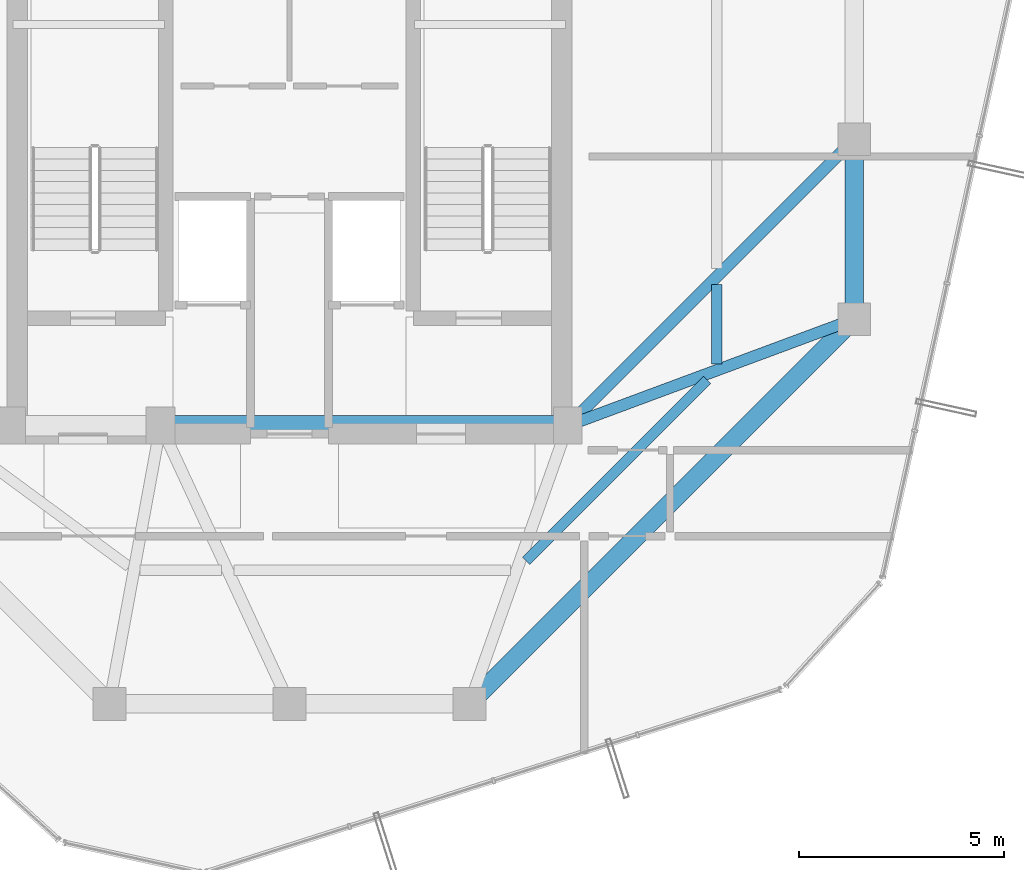
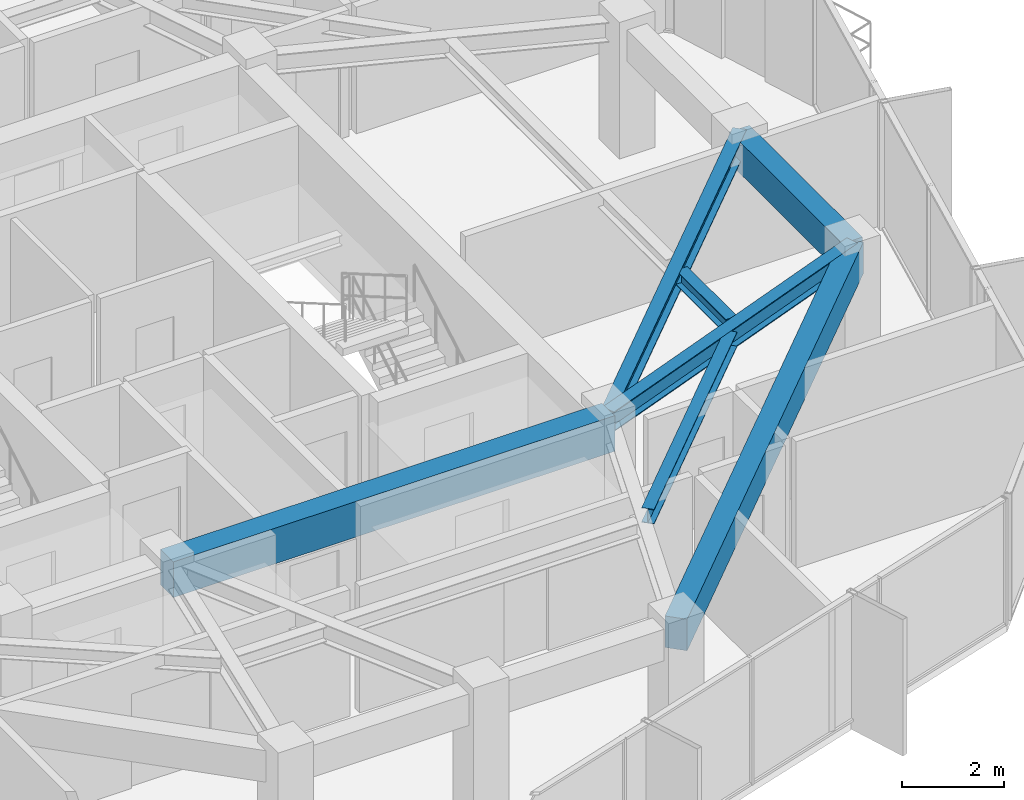
# One storey, part 10 of 28: 7 beams.
"""IFC4 building model written with IfcOpenShell, lengths in metres."""

from ifc_helpers import new_model, si_unit, direction, frame, origin, origin_2d, place, context, subcontext, project, spatial, rectangle, i_section, extrude, material, material_profile, profile_set, type_object, element, save


model = new_model("IFC4")

# Units and contexts
model_context = context("Model", 3, precision=1e-05, world=origin(), true_north=direction((0.0, 1.0)))
body_context = subcontext(model_context, "Body", "Model", "MODEL_VIEW")
ifc_project = project(units=[si_unit("LENGTHUNIT", "METRE"), si_unit("AREAUNIT", "SQUARE_METRE"), si_unit("VOLUMEUNIT", "CUBIC_METRE"), si_unit("PLANEANGLEUNIT", "RADIAN"), si_unit("MASSUNIT", "GRAM", prefix="KILO")], contexts=[model_context])

# Site, building, storey
site_placement = place(None, origin())
site = spatial("IfcSite", under=ifc_project, at=site_placement, CompositionType="ELEMENT")
building_placement = place(site_placement, origin())
building = spatial("IfcBuilding", under=site, at=building_placement, Name="Veraguas Prism Commons", CompositionType="ELEMENT")
storey_placement = place(building_placement, frame((0.0, 0.0, 251.25)))
storey = spatial("IfcBuildingStorey", under=building, at=storey_placement, Name="L71", CompositionType="ELEMENT", Elevation=251.25)

# Beams
ifc_material_1 = material(Name="Concrete C50/60", Category="concrete")
ifc_material_profile_1 = material_profile(ifc_material_1, rectangle(XDim=0.5, YDim=0.85009765625, at=origin_2d()), Name="RC500X850")
ifc_profile_set_1 = profile_set([ifc_material_profile_1], Name="Concrete C50/60")
beam_type_1 = type_object("IfcBeamType", Name="Core Coupling Beam RC 500x850", PredefinedType="BEAM", material=ifc_profile_set_1)
beam_1_placement = place(storey_placement, frame((20.85009765625, 17.0, 2.590087890625), z_axis=(1.0, 0.0, 0.0), x_axis=(0.0, 1.0, 0.0)))
element("IfcBeam", 1, at=beam_1_placement, inside=storey, type_object=beam_type_1, Name="Core Coupling Beam L71-CRS2", PredefinedType="BEAM", context=body_context, shape_type="SweptSolid", body=[
    extrude(rectangle(XDim=0.5, YDim=0.85009765625, at=origin_2d()), origin(), (0.0, 0.0, 1.0), 9.949951171875),
])
ifc_material_profile_2 = material_profile(ifc_material_1, rectangle(XDim=0.449951171875, YDim=0.75, at=origin_2d()), Name="RC450X750")
ifc_profile_set_2 = profile_set([ifc_material_profile_2], Name="Concrete C50/60")
beam_type_2 = type_object("IfcBeamType", Name="Perimeter Spandrel Upper RC 450x750", PredefinedType="SPANDREL", material=ifc_profile_set_2)
beam_2_placement = place(storey_placement, frame((37.800048828125, 19.60009765625, 2.639892578125), z_axis=(0.0, 1.0, 0.0), x_axis=(-1.0, 0.0, 0.0)))
element("IfcBeam", 2, at=beam_2_placement, inside=storey, type_object=beam_type_2, Name="Perimeter Spandrel Beam L71-SP01", PredefinedType="SPANDREL", context=body_context, shape_type="SweptSolid", body=[
    extrude(rectangle(XDim=0.449951171875, YDim=0.75, at=origin_2d()), origin(), (0.0, 0.0, 1.0), 4.39990234375),
])
beam_3_placement = place(storey_placement, frame((28.39990234375, 10.199951171875, 2.639892578125), z_axis=(0.707106781187, 0.707106781187, 0.0), x_axis=(-0.707106781187, 0.707106781187, 0.0)))
element("IfcBeam", 3, at=beam_3_placement, inside=storey, type_object=beam_type_2, Name="Perimeter Spandrel Beam L71-SP12", PredefinedType="SPANDREL", context=body_context, shape_type="SweptSolid", body=[
    extrude(rectangle(XDim=0.449951171875, YDim=0.75, at=origin_2d()), origin(), (0.0, 0.0, 1.0), 13.293701171875),
])
ifc_material_2 = material(Name="Steel ASTM A992 Grade 50", Category="steel")
ifc_material_profile_3 = material_profile(ifc_material_2, i_section(OverallWidth=0.25390625, OverallDepth=0.35302734375, WebThickness=0.009521484375, FlangeThickness=0.016357421875, at=origin_2d()), Name="W360X91")
ifc_profile_set_3 = profile_set([ifc_material_profile_3], Name="Steel ASTM A992 Grade 50")
beam_type_3 = type_object("IfcBeamType", Name="Upper Floor Joist W360x91", PredefinedType="JOIST", material=ifc_profile_set_3)
beam_4_placement = place(storey_placement, frame((34.43994140625, 18.500732421875, 2.83837890625), z_axis=(0.0, 1.0, 0.0), x_axis=(-1.0, 0.0, 0.0)))
element("IfcBeam", 4, at=beam_4_placement, inside=storey, type_object=beam_type_3, Name="Composite Floor Joist L71-JS01", PredefinedType="JOIST", context=body_context, shape_type="SweptSolid", body=[
    extrude(i_section(OverallWidth=0.25390625, OverallDepth=0.35302734375, WebThickness=0.009521484375, FlangeThickness=0.016357421875, at=origin_2d()), origin(), (0.0, 0.0, 1.0), 1.94189453125),
])
beam_5_placement = place(storey_placement, frame((29.780517578125, 13.692626953125, 2.83837890625), z_axis=(0.707126297541, 0.707087264294, 0.0), x_axis=(-0.707087264294, 0.707126297541, 0.0)))
element("IfcBeam", 5, at=beam_5_placement, inside=storey, type_object=beam_type_3, Name="Composite Floor Joist L71-JS12", PredefinedType="JOIST", context=body_context, shape_type="SweptSolid", body=[
    extrude(i_section(OverallWidth=0.25390625, OverallDepth=0.35302734375, WebThickness=0.009521484375, FlangeThickness=0.016357421875, at=origin_2d()), origin(), (0.0, 0.0, 1.0), 6.254638671875),
])
ifc_material_profile_4 = material_profile(ifc_material_2, i_section(OverallWidth=0.282958984375, OverallDepth=0.471923828125, WebThickness=0.013671875, FlangeThickness=0.022216796875, at=origin_2d()), Name="W460X144")
ifc_profile_set_4 = profile_set([ifc_material_profile_4], Name="Steel ASTM A992 Grade 50")
beam_type_4 = type_object("IfcBeamType", Name="Zone 4 Radial Girder W460x144", PredefinedType="BEAM", material=ifc_profile_set_4)
beam_6_placement = place(storey_placement, frame((37.800048828125, 19.60009765625, 2.779052734375), z_axis=(-0.937421003341, -0.348198021958, 0.0), x_axis=(0.348198021958, -0.937421003341, 0.0)))
element("IfcBeam", 6, at=beam_6_placement, inside=storey, type_object=beam_type_4, Name="Radial Floor Girder L71-RD01", PredefinedType="BEAM", context=body_context, shape_type="SweptSolid", body=[
    extrude(i_section(OverallWidth=0.282958984375, OverallDepth=0.471923828125, WebThickness=0.013671875, FlangeThickness=0.022216796875, at=origin_2d()), origin(), (0.0, 0.0, 1.0), 7.46728515625),
])
beam_7_placement = place(storey_placement, frame((37.800048828125, 24.0, 2.779052734375), z_axis=(-0.707106781187, -0.707106781187, 0.0), x_axis=(0.707106781187, -0.707106781187, 0.0)))
element("IfcBeam", 7, at=beam_7_placement, inside=storey, type_object=beam_type_4, Name="Radial Floor Girder L71-RD02", PredefinedType="BEAM", context=body_context, shape_type="SweptSolid", body=[
    extrude(i_section(OverallWidth=0.282958984375, OverallDepth=0.471923828125, WebThickness=0.013671875, FlangeThickness=0.022216796875, at=origin_2d()), origin(), (0.0, 0.0, 1.0), 9.8994140625),
])

save(model, "model.ifc")
